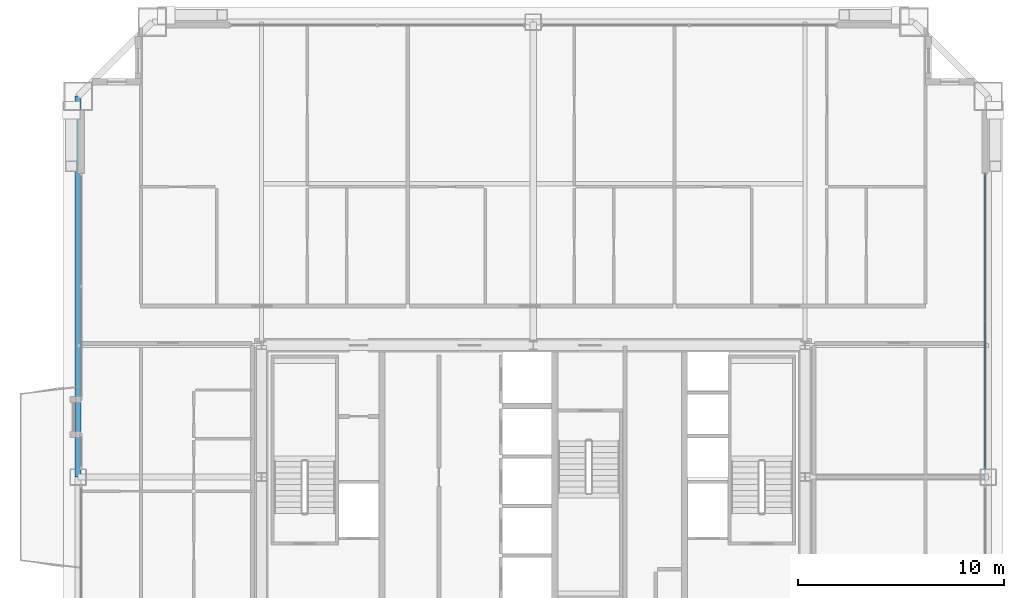
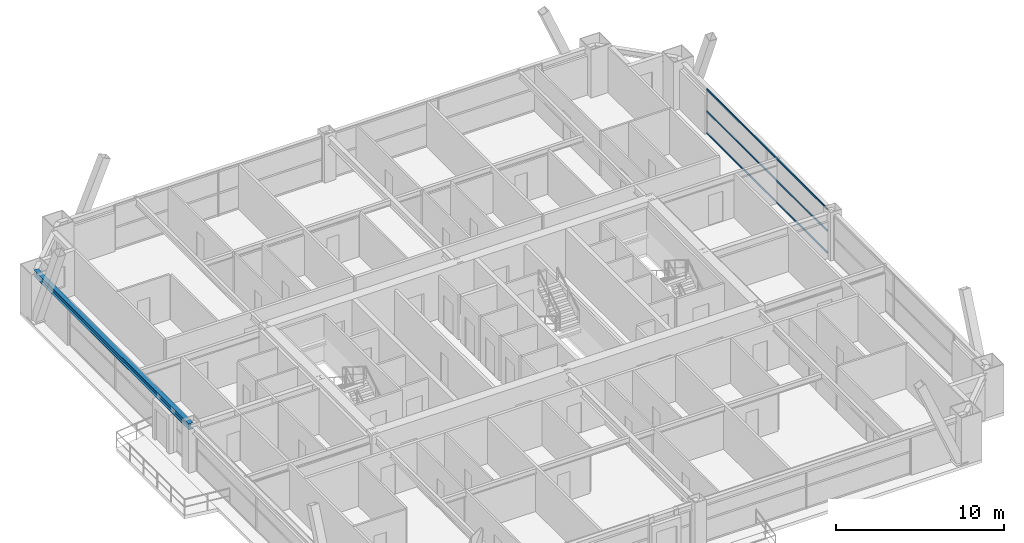
# One storey, part 24 of 42: 3 members, 1 beam, 1 element without a shape of its own.
"""IFC4 building model written with IfcOpenShell, lengths in metres."""

from ifc_helpers import new_model, si_unit, direction, frame, origin, origin_2d, place, context, subcontext, project, spatial, hollow_rectangle, i_section, extrude, source, transform, mapped, material, layer, layer_set, material_profile, profile_set, type_object, element, aggregate, save


model = new_model("IFC4")

# Units and contexts
model_context = context("Model", 3, precision=1e-05, world=origin(), true_north=direction((0.0, 1.0)))
body_context = subcontext(model_context, "Body", "Model", "MODEL_VIEW")
ifc_project = project(units=[si_unit("LENGTHUNIT", "METRE"), si_unit("AREAUNIT", "SQUARE_METRE"), si_unit("VOLUMEUNIT", "CUBIC_METRE"), si_unit("PLANEANGLEUNIT", "RADIAN"), si_unit("MASSUNIT", "GRAM", prefix="KILO"), si_unit("THERMODYNAMICTEMPERATUREUNIT", "KELVIN"), si_unit("POWERUNIT", "WATT")], contexts=[model_context])

# Site, building, storey
site_placement = place(None, origin())
site = spatial("IfcSite", under=ifc_project, at=site_placement, CompositionType="ELEMENT")
building_placement = place(site_placement, origin())
building = spatial("IfcBuilding", under=site, at=building_placement, Name="Yuzanri Waterfront Tower", CompositionType="ELEMENT")
storey_placement = place(building_placement, frame((0.0, 0.0, 205.5)))
storey = spatial("IfcBuildingStorey", under=building, at=storey_placement, Name="L54", CompositionType="ELEMENT", Elevation=205.5)

# Beam
ifc_material_1 = material(Name="Steel Q355B", Category="steel")
ifc_material_profile_1 = material_profile(ifc_material_1, i_section(OverallWidth=0.300048828125, OverallDepth=0.43994140625, WebThickness=0.010986328125, FlangeThickness=0.01806640625, at=origin_2d()), Name="HM 440x300x11x18")
ifc_profile_set_1 = profile_set([ifc_material_profile_1], Name="Steel Q355B")
beam_type = type_object("IfcBeamType", Name="Perimeter Spandrel Q355B HM 440x300", PredefinedType="SPANDREL", material=ifc_profile_set_1)
shared_shape_1 = source(origin(), body_context, "Body", "SweptSolid", [
    extrude(i_section(OverallWidth=0.300048828125, OverallDepth=0.43994140625, WebThickness=0.010986328125, FlangeThickness=0.01806640625, at=origin_2d()), origin(), (0.0, 0.0, 1.0), 18.5),
])
beam_placement = place(storey_placement, frame((14.89990234375, 44.300048828125, 3.06005859375), z_axis=(0.0, -1.0, 0.0), x_axis=(1.0, 0.0, 0.0)))
element("IfcBeam", 1, at=beam_placement, inside=storey, type_object=beam_type, Name="L54 Perimeter Spandrel W3-W2", PredefinedType="SPANDREL", context=body_context, shape_type="MappedRepresentation", body=[
    mapped(shared_shape_1, transform((0.0, 0.0, 0.0), scale=1.0)),
])

# Curtain wall, members
ifc_material_2 = material(Name="Anodized Architectural Bronze", Category="metal")
ifc_layer = layer(ifc_material_2, 0.159912109375)
ifc_layer_set = layer_set([ifc_layer], Name="Anodized Architectural Bronze")
curtain_wall_type = type_object("IfcCurtainWallType", Name="Anodized Bronze Mid-Rise Residential Acoustic Unitized Curtain Wall 7200", PredefinedType="NOTDEFINED", material=ifc_layer_set)
curtain_wall_placement = place(storey_placement, origin())
curtain_wall = element("IfcCurtainWall", 2, at=curtain_wall_placement, inside=storey, type_object=curtain_wall_type, Name="L54 Curtain Wall CW-L54-ER", PredefinedType="NOTDEFINED")
ifc_material_3 = material(Name="Anodized Architectural Bronze", Category="metal")
ifc_material_profile_2 = material_profile(ifc_material_3, hollow_rectangle(XDim=0.06494140625, YDim=0.1201171875, WallThickness=0.00341796875, at=origin_2d()), Name="CWT 65x120")
ifc_profile_set_2 = profile_set([ifc_material_profile_2], Name="Anodized Architectural Bronze")
member_type = type_object("IfcMemberType", Name="Anodized Bronze Secondary Curtain-Wall Transom 65x120", PredefinedType="USERDEFINED", material=ifc_profile_set_2)
shared_shape_2 = source(origin(), body_context, "Body", "SweptSolid", [
    extrude(hollow_rectangle(XDim=0.06494140625, YDim=0.1201171875, WallThickness=0.00341796875, at=origin_2d()), origin(), (0.0, 0.0, 1.0), 14.35009765625),
])
member_1_placement = place(storey_placement, frame((58.949951171875, 26.199951171875, 0.050048828125), z_axis=(0.0, 1.0, 0.0), x_axis=(-1.0, 0.0, 0.0)))
member_1 = element("IfcMember", 3, at=member_1_placement, type_object=member_type, Name="CW-L54-ER Transom 1", ObjectType="TRANSOM", PredefinedType="USERDEFINED", context=body_context, shape_type="MappedRepresentation", body=[
    mapped(shared_shape_2, transform((0.0, 0.0, 0.0), scale=1.0)),
])
member_2_placement = place(storey_placement, frame((58.949951171875, 26.199951171875, 1.639892578125), z_axis=(0.0, 1.0, 0.0), x_axis=(-1.0, 0.0, 0.0)))
member_2 = element("IfcMember", 4, at=member_2_placement, type_object=member_type, Name="CW-L54-ER Transom 2", ObjectType="TRANSOM", PredefinedType="USERDEFINED", context=body_context, shape_type="MappedRepresentation", body=[
    mapped(shared_shape_2, transform((0.0, 0.0, 0.0), scale=1.0)),
])
member_3_placement = place(storey_placement, frame((58.949951171875, 26.199951171875, 3.22998046875), z_axis=(0.0, 1.0, 0.0), x_axis=(-1.0, 0.0, 0.0)))
member_3 = element("IfcMember", 5, at=member_3_placement, type_object=member_type, Name="CW-L54-ER Transom 3", ObjectType="TRANSOM", PredefinedType="USERDEFINED", context=body_context, shape_type="MappedRepresentation", body=[
    mapped(shared_shape_2, transform((0.0, 0.0, 0.0), scale=1.0)),
])
aggregate(curtain_wall, [member_1, member_2, member_3])

save(model, "model.ifc")
